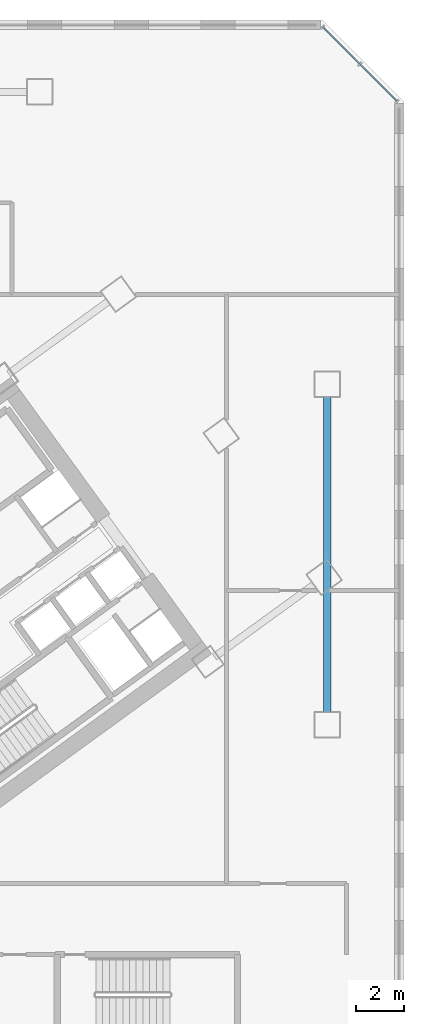
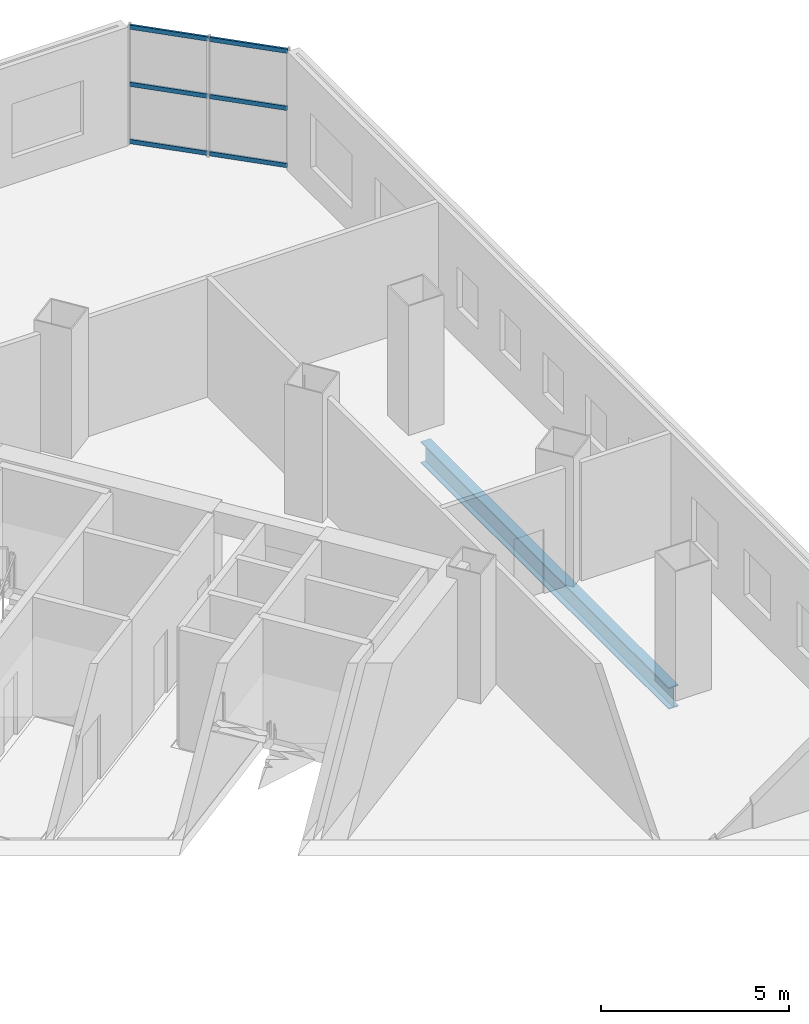
# One storey, part 7 of 22: 6 members, 1 beam, 1 element without a shape of its own.
"""IFC4 building model written with IfcOpenShell, lengths in metres."""

from ifc_helpers import new_model, si_unit, direction, frame, origin, origin_2d, place, context, subcontext, project, spatial, hollow_rectangle, i_section, extrude, source, transform, mapped, material, material_profile, profile_set, type_object, element, aggregate, save


model = new_model("IFC4")

# Units and contexts
model_context = context("Model", 3, precision=1e-05, world=origin(), true_north=direction((0.0, 1.0)))
body_context = subcontext(model_context, "Body", "Model", "MODEL_VIEW")
ifc_project = project(units=[si_unit("LENGTHUNIT", "METRE"), si_unit("AREAUNIT", "SQUARE_METRE"), si_unit("VOLUMEUNIT", "CUBIC_METRE"), si_unit("PLANEANGLEUNIT", "RADIAN"), si_unit("MASSUNIT", "GRAM", prefix="KILO")], contexts=[model_context])

# Site, building, storey
site_placement = place(None, origin())
site = spatial("IfcSite", under=ifc_project, at=site_placement, CompositionType="ELEMENT")
building_placement = place(site_placement, origin())
building = spatial("IfcBuilding", under=site, at=building_placement, Name="Tlacorven Tower", CompositionType="ELEMENT")
storey_placement = place(building_placement, frame((0.0, 0.0, 14.39990234375)))
storey = spatial("IfcBuildingStorey", under=building, at=storey_placement, Name="L03", CompositionType="ELEMENT", Elevation=14.39990234375)

# Beam
ifc_material_1 = material(Name="Steel S355J2", Category="steel")
ifc_material_profile_1 = material_profile(ifc_material_1, i_section(OverallWidth=0.300048828125, OverallDepth=0.699951171875, WebThickness=0.01708984375, FlangeThickness=0.031982421875, at=origin_2d()), Name="HEB 700")
ifc_profile_set_1 = profile_set([ifc_material_profile_1], Name="Steel S355J2")
beam_type = type_object("IfcBeamType", Name="BM-POD-700", PredefinedType="BEAM", material=ifc_profile_set_1)
shared_shape_1 = source(origin(), body_context, "Body", "SweptSolid", [
    extrude(i_section(OverallWidth=0.300048828125, OverallDepth=0.699951171875, WebThickness=0.01708984375, FlangeThickness=0.031982421875, at=origin_2d()), origin(), (0.0, 0.0, 1.0), 13.179931640625),
])
beam_placement = place(storey_placement, frame((67.39990234375, 17.7099609375, -0.699951171875), z_axis=(0.0, 1.0, 0.0), x_axis=(-1.0, 0.0, 0.0)))
element("IfcBeam", 1, at=beam_placement, inside=storey, type_object=beam_type, Name="L03 beam BM-L03-GY6-1", PredefinedType="BEAM", context=body_context, shape_type="MappedRepresentation", body=[
    mapped(shared_shape_1, transform((0.0, 0.0, 0.0), scale=1.0)),
])

# Curtain wall, members
ifc_material_2 = material(Name="Dark solar low-E double glazing in aluminium frame", Category="aluminium")
curtain_wall_type = type_object("IfcCurtainWallType", Name="CW-POD-CLINIC", PredefinedType="USERDEFINED", material=ifc_material_2)
curtain_wall_placement = place(storey_placement, origin())
curtain_wall = element("IfcCurtainWall", 2, at=curtain_wall_placement, inside=storey, type_object=curtain_wall_type, Name="L03 Podium Chamfer Curtain Wall 5", ObjectType="UNITISED CURTAIN WALL", PredefinedType="USERDEFINED")
ifc_material_3 = material(Name="Aluminium 6063-T6 anodised", Category="aluminium")
ifc_material_profile_2 = material_profile(ifc_material_3, hollow_rectangle(XDim=0.06005859375, YDim=0.139892578125, WallThickness=0.00390625, at=origin_2d()), Name="ALU TRANSOM 60X140")
ifc_profile_set_2 = profile_set([ifc_material_profile_2], Name="Aluminium 6063-T6 anodised")
member_type = type_object("IfcMemberType", Name="CWT-02", PredefinedType="USERDEFINED", material=ifc_profile_set_2)
shared_shape_2 = source(origin(), body_context, "Body", "SweptSolid", [
    extrude(hollow_rectangle(XDim=0.06005859375, YDim=0.139892578125, WallThickness=0.00390625, at=origin_2d()), origin(), (0.0, 0.0, 1.0), 2.14794921875),
])
member_1_placement = place(storey_placement, frame((67.225341796875, 46.291748046875, 0.070068359375), z_axis=(0.707106781187, -0.707106781187, 0.0), x_axis=(0.707106781187, 0.707106781187, 0.0)))
member_1 = element("IfcMember", 3, at=member_1_placement, type_object=member_type, Name="CW-L03-015 Transom 1", ObjectType="TRANSOM", PredefinedType="USERDEFINED", context=body_context, shape_type="MappedRepresentation", body=[
    mapped(shared_shape_2, transform((0.0, 0.0, 0.0), scale=1.0)),
])
member_2_placement = place(storey_placement, frame((67.225341796875, 46.291748046875, 1.925048828125), z_axis=(0.707106781187, -0.707106781187, 0.0), x_axis=(0.707106781187, 0.707106781187, 0.0)))
member_2 = element("IfcMember", 4, at=member_2_placement, type_object=member_type, Name="CW-L03-015 Transom 2", ObjectType="TRANSOM", PredefinedType="USERDEFINED", context=body_context, shape_type="MappedRepresentation", body=[
    mapped(shared_shape_2, transform((0.0, 0.0, 0.0), scale=1.0)),
])
member_3_placement = place(storey_placement, frame((67.225341796875, 46.291748046875, 3.780029296875), z_axis=(0.707106781187, -0.707106781187, 0.0), x_axis=(0.707106781187, 0.707106781187, 0.0)))
member_3 = element("IfcMember", 5, at=member_3_placement, type_object=member_type, Name="CW-L03-015 Transom 3", ObjectType="TRANSOM", PredefinedType="USERDEFINED", context=body_context, shape_type="MappedRepresentation", body=[
    mapped(shared_shape_2, transform((0.0, 0.0, 0.0), scale=1.0)),
])
member_4_placement = place(storey_placement, frame((68.77294921875, 44.744140625, 0.070068359375), z_axis=(0.707106781187, -0.707106781187, 0.0), x_axis=(0.707106781187, 0.707106781187, 0.0)))
member_4 = element("IfcMember", 6, at=member_4_placement, type_object=member_type, Name="CW-L03-015 Transom 4", ObjectType="TRANSOM", PredefinedType="USERDEFINED", context=body_context, shape_type="MappedRepresentation", body=[
    mapped(shared_shape_2, transform((0.0, 0.0, 0.0), scale=1.0)),
])
member_5_placement = place(storey_placement, frame((68.77294921875, 44.744140625, 1.925048828125), z_axis=(0.707106781187, -0.707106781187, 0.0), x_axis=(0.707106781187, 0.707106781187, 0.0)))
member_5 = element("IfcMember", 7, at=member_5_placement, type_object=member_type, Name="CW-L03-015 Transom 5", ObjectType="TRANSOM", PredefinedType="USERDEFINED", context=body_context, shape_type="MappedRepresentation", body=[
    mapped(shared_shape_2, transform((0.0, 0.0, 0.0), scale=1.0)),
])
member_6_placement = place(storey_placement, frame((68.77294921875, 44.744140625, 3.780029296875), z_axis=(0.707106781187, -0.707106781187, 0.0), x_axis=(0.707106781187, 0.707106781187, 0.0)))
member_6 = element("IfcMember", 8, at=member_6_placement, type_object=member_type, Name="CW-L03-015 Transom 6", ObjectType="TRANSOM", PredefinedType="USERDEFINED", context=body_context, shape_type="MappedRepresentation", body=[
    mapped(shared_shape_2, transform((0.0, 0.0, 0.0), scale=1.0)),
])
aggregate(curtain_wall, [member_1, member_2, member_3, member_4, member_5, member_6])

save(model, "model.ifc")
